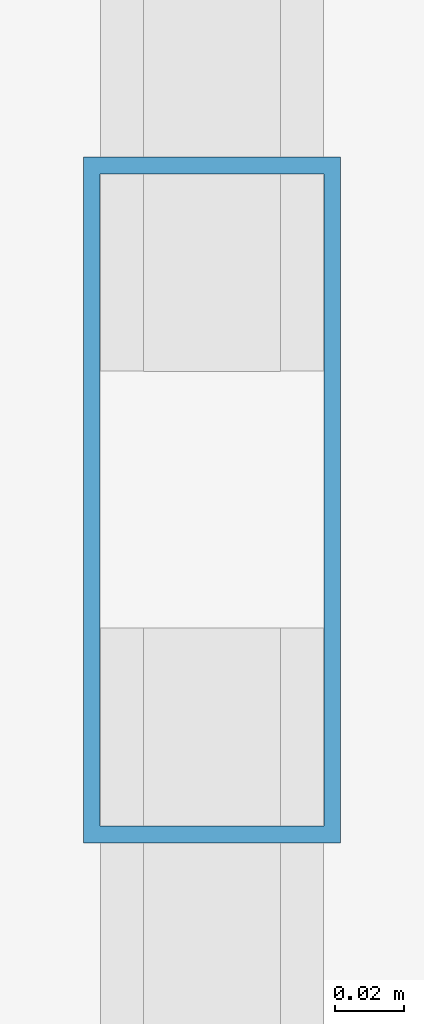
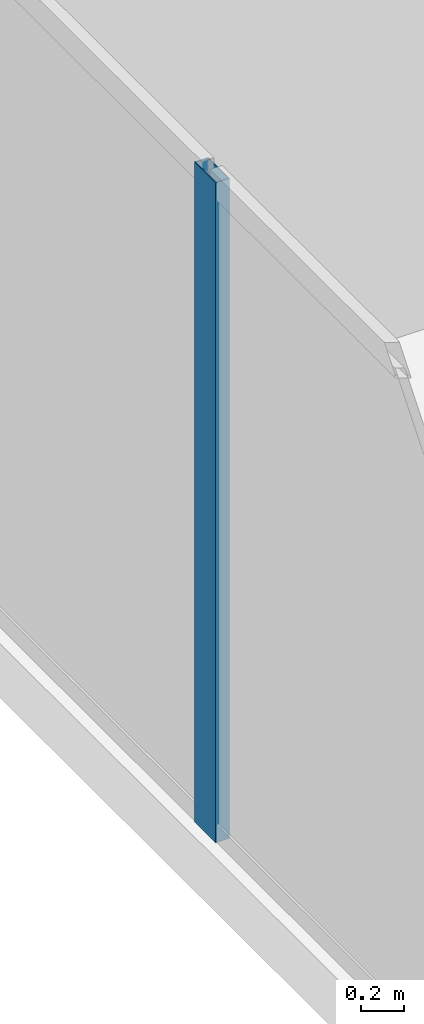
# One storey, part 8 of 31: 1 member, 1 element without a shape of its own.
"""IFC4 building model written with IfcOpenShell, lengths in metres."""

from ifc_helpers import new_model, si_unit, direction, frame, origin, origin_2d, place, context, subcontext, project, spatial, hollow_rectangle, extrude, source, transform, mapped, material, layer, layer_set, material_profile, profile_set, type_object, type_shapes, element, aggregate, save


model = new_model("IFC4")

# Units and contexts
model_context = context("Model", 3, precision=1e-05, world=origin(), true_north=direction((0.0, 1.0)))
body_context = subcontext(model_context, "Body", "Model", "MODEL_VIEW")
ifc_project = project(units=[si_unit("LENGTHUNIT", "METRE"), si_unit("AREAUNIT", "SQUARE_METRE"), si_unit("VOLUMEUNIT", "CUBIC_METRE"), si_unit("PLANEANGLEUNIT", "RADIAN"), si_unit("MASSUNIT", "GRAM", prefix="KILO")], contexts=[model_context])

# Site, building, storey
site_placement = place(None, origin())
site = spatial("IfcSite", under=ifc_project, at=site_placement, CompositionType="ELEMENT")
building_placement = place(site_placement, origin())
building = spatial("IfcBuilding", under=site, at=building_placement, Name="Haelvirn Gate Laboratories", CompositionType="ELEMENT")
storey_placement = place(building_placement, frame((0.0, 0.0, 174.800048828125)))
storey = spatial("IfcBuildingStorey", under=building, at=storey_placement, Name="L42", CompositionType="ELEMENT", Elevation=174.800048828125)

# Curtain wall, member
ifc_material_1 = material(Name="Anodised bronze unitised aluminium & triple low-E glass", Category="aluminium")
ifc_layer = layer(ifc_material_1, 0.179931640625, Name="CW-SYS-3")
ifc_layer_set = layer_set([ifc_layer], Name="Anodised bronze unitised aluminium & triple low-E glass")
curtain_wall_type = type_object("IfcCurtainWallType", Name="CW-SYS-3", PredefinedType="NOTDEFINED", material=ifc_layer_set)
curtain_wall_placement = place(storey_placement, origin())
curtain_wall = element("IfcCurtainWall", 1, at=curtain_wall_placement, inside=storey, type_object=curtain_wall_type, Name="L42 Unitised Curtain Wall CW-L42-P0-E17", PredefinedType="NOTDEFINED")
ifc_material_2 = material(Name="Extruded aluminium 6063-T6 (anodised bronze)", Category="aluminium")
ifc_material_profile = material_profile(ifc_material_2, hollow_rectangle(XDim=0.074951171875, YDim=0.199951171875, WallThickness=0.0048828125, at=origin_2d()), Name="CWM-200x75x5")
ifc_profile_set = profile_set([ifc_material_profile], Name="Extruded aluminium 6063-T6 (anodised bronze)")
member_type = type_object("IfcMemberType", Name="CWM-T200", PredefinedType="MULLION", material=ifc_profile_set)
shared_shape = source(origin(), body_context, "Body", "SweptSolid", [
    extrude(hollow_rectangle(XDim=0.074951171875, YDim=0.199951171875, WallThickness=0.0048828125, at=origin_2d()), origin(), (0.0, 0.0, 1.0), 3.7900390625),
])
type_shapes(member_type, [shared_shape])
member_placement = place(storey_placement, frame((2.10009765625, 30.966552734375, 0.0), z_axis=(0.0, 0.0, 1.0), x_axis=(1.0, 0.0, 0.0)))
member = element("IfcMember", 2, at=member_placement, type_object=member_type, Name="CW3 mullion 2", PredefinedType="MULLION", context=body_context, shape_type="MappedRepresentation", body=[
    mapped(shared_shape, transform((0.0, 0.0, 0.0), scale=1.0)),
])
aggregate(curtain_wall, [member])

save(model, "model.ifc")
